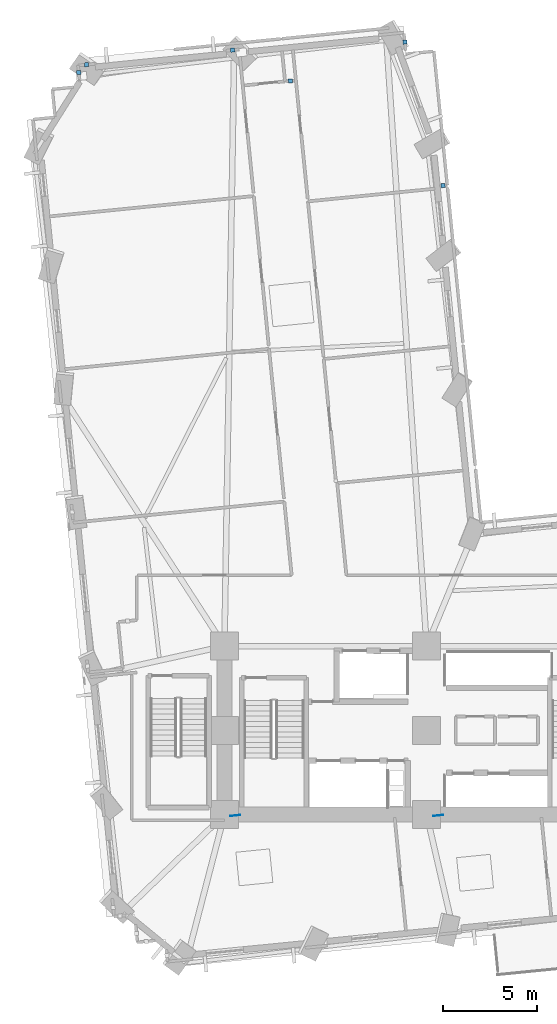
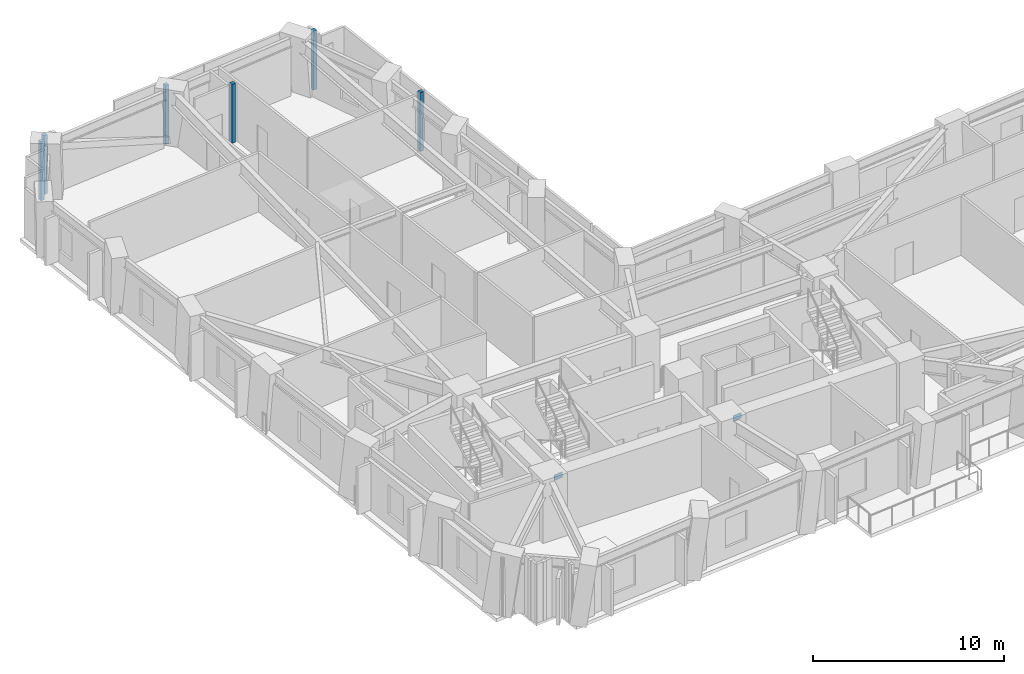
# One storey, part 6 of 16: 8 plates.
"""IFC4 building model written with IfcOpenShell, lengths in metres."""

from ifc_helpers import new_model, si_unit, direction, frame, origin, origin_2d, place, context, subcontext, project, spatial, rectangle, extrude, material, layer, layer_set, type_object, element, save


model = new_model("IFC4")

# Units and contexts
model_context = context("Model", 3, precision=1e-05, world=origin(), true_north=direction((0.0, 1.0)))
body_context = subcontext(model_context, "Body", "Model", "MODEL_VIEW")
ifc_project = project(units=[si_unit("LENGTHUNIT", "METRE"), si_unit("AREAUNIT", "SQUARE_METRE"), si_unit("VOLUMEUNIT", "CUBIC_METRE"), si_unit("PLANEANGLEUNIT", "RADIAN"), si_unit("MASSUNIT", "GRAM", prefix="KILO")], contexts=[model_context])

# Site, building, storey
site_placement = place(None, origin())
site = spatial("IfcSite", under=ifc_project, at=site_placement, CompositionType="ELEMENT")
building_placement = place(site_placement, origin())
building = spatial("IfcBuilding", under=site, at=building_placement, Name="Gaonmaruhae Medical Tower", CompositionType="ELEMENT")
storey_placement = place(building_placement, frame((0.0, 0.0, 47.0)))
storey = spatial("IfcBuildingStorey", under=building, at=storey_placement, Name="L10", CompositionType="ELEMENT", Elevation=47.0)

# Plates
ifc_material_1 = material(Name="Anodised aluminium 6063-T6", Category="aluminium")
ifc_layer_1 = layer(ifc_material_1, 0.011962890625)
ifc_layer_set_1 = layer_set([ifc_layer_1], Name="Anodised aluminium 6063-T6")
plate_type_1 = type_object("IfcPlateType", Name="PP-01 Interior Partition Corner Stiffener Plate", PredefinedType="SHEET", material=ifc_layer_set_1)
for number, where, z_axis, x_axis, name in (
    (1, (6.216064453125, 47.44091796875, 0.0), (0.0, 0.0, 1.0), (-0.099771281396, 0.995010397638, 0.0), "L10 Partition Corner Stiffener Plate PLT-L10-JGP-PW061"),
    (2, (6.633544921875, 47.85546875, 0.0), (0.0, 0.0, 1.0), (0.995026057399, 0.099614984298, 0.0), "L10 Partition Corner Stiffener Plate PLT-L10-JGP-PW062"),
    (3, (14.43701171875, 48.634033203125, 0.0), (0.0, 0.0, 1.0), (0.995008656149, 0.099788647589, 0.0), "L10 Partition Corner Stiffener Plate PLT-L10-JGP-PW063"),
    (4, (25.679443359375, 41.39599609375, 0.0), (0.0, 0.0, 1.0), (-0.99511777798, -0.098694518326, 0.0), "L10 Partition Corner Stiffener Plate PLT-L10-JGP-PW091"),
    (5, (23.6416015625, 49.06201171875, 0.0), (0.0, 0.0, 1.0), (0.099285015691, -0.995059036268, 0.0), "L10 Partition Corner Stiffener Plate PLT-L10-JGP-PW094"),
    (6, (17.5185546875, 46.987060546875, 0.0), (0.0, 0.0, 1.0), (-0.997067462848, -0.076527606327, 0.0), "L10 Partition Corner Stiffener Plate PLT-L10-JGP-PW099"),
):
    element("IfcPlate", number, at=place(storey_placement, frame(where, z_axis=z_axis, x_axis=x_axis)), inside=storey, type_object=plate_type_1, Name=name, PredefinedType="SHEET", context=body_context, shape_type="SweptSolid", body=[
        extrude(rectangle(XDim=0.219970703125, YDim=0.219970703125, at=origin_2d()), origin(), (0.0, 0.0, 1.0), 3.780029296875),
    ])
ifc_material_2 = material(Name="Steel HSA650 (650 MPa)", Category="steel")
ifc_layer_2 = layer(ifc_material_2, 0.02392578125)
ifc_layer_set_2 = layer_set([ifc_layer_2], Name="Steel HSA650 (650 MPa)")
plate_type_2 = type_object("IfcPlateType", Name="SP-P1 Girder Web Splice Plate", PredefinedType="SHEET", material=ifc_layer_set_2)
for number, where, z_axis, x_axis, name in (
    (7, (14.58740234375, 7.751708984375, 3.25), (0.0, 0.0, 1.0), (0.993272085779, 0.115803987891, 0.0), "L10 Girder Web Splice Plate SPL1"),
    (8, (25.4111328125, 7.751220703125, 3.25), (0.0, 0.0, 1.0), (0.993272085779, 0.115803987891, 0.0), "L10 Girder Web Splice Plate SPL2"),
):
    element("IfcPlate", number, at=place(storey_placement, frame(where, z_axis=z_axis, x_axis=x_axis)), inside=storey, type_object=plate_type_2, Name=name, PredefinedType="SHEET", context=body_context, shape_type="SweptSolid", body=[
        extrude(rectangle(XDim=0.5400390625, YDim=0.02392578125, at=origin_2d()), origin(), (0.0, 0.0, 1.0), 0.360107421875),
    ])

save(model, "model.ifc")
